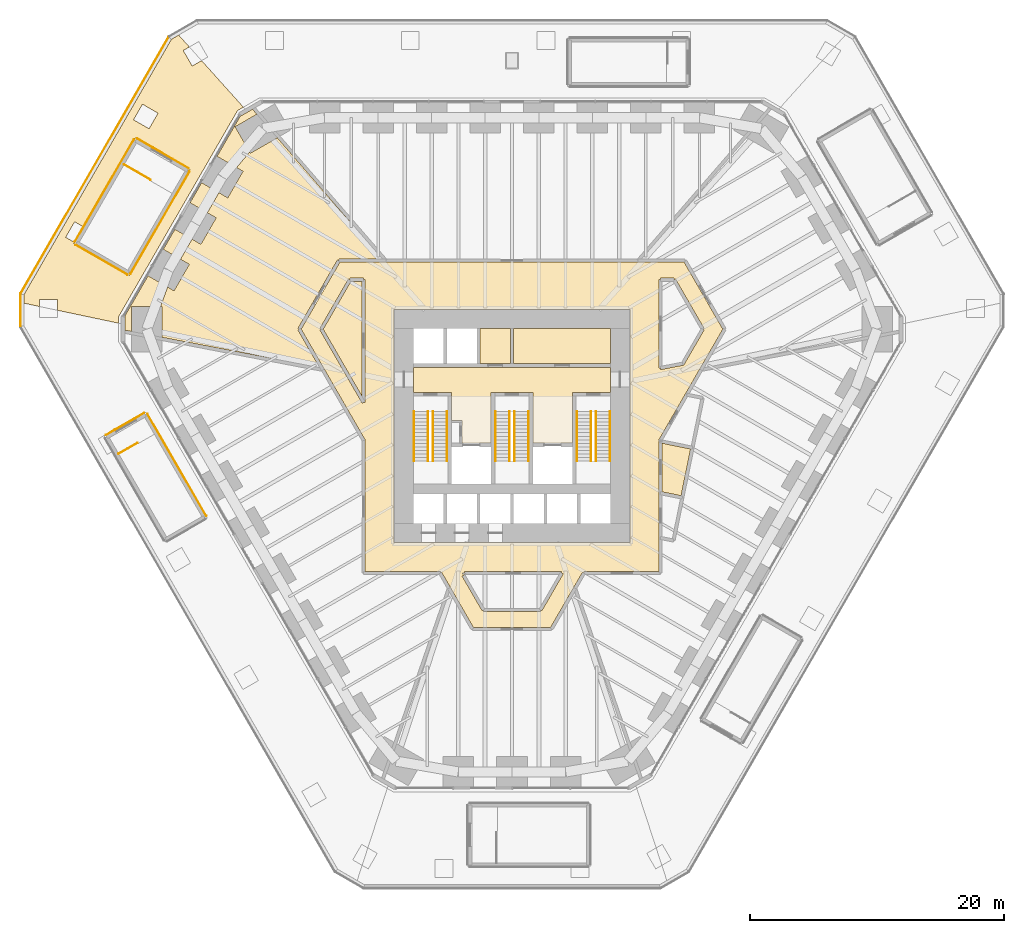
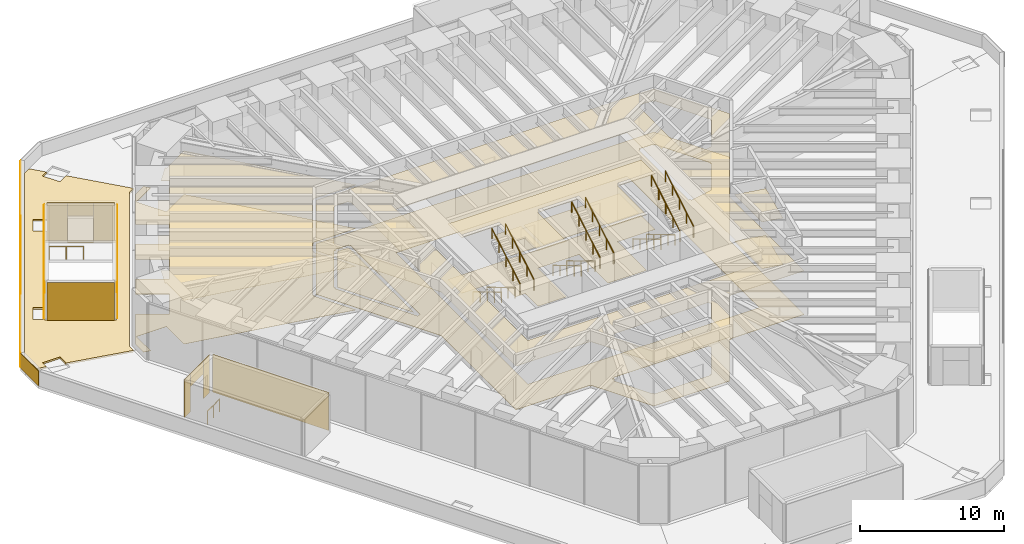
# One storey, part 17 of 20: 24 coverings, 14 railings.
"""IFC4 building model written with IfcOpenShell, lengths in metres."""

from ifc_helpers import new_model, si_unit, direction, frame, frame_2d, origin, origin_2d, place, context, subcontext, project, spatial, polyline, rectangle, circle, outline, extrude, material, layer, layer_set, type_object, element, save


model = new_model("IFC4")

# Units and contexts
model_context = context("Model", 3, precision=1e-05, world=origin(), true_north=direction((0.0, 1.0)))
body_context = subcontext(model_context, "Body", "Model", "MODEL_VIEW")
ifc_project = project(units=[si_unit("LENGTHUNIT", "METRE"), si_unit("AREAUNIT", "SQUARE_METRE"), si_unit("VOLUMEUNIT", "CUBIC_METRE"), si_unit("PLANEANGLEUNIT", "RADIAN"), si_unit("MASSUNIT", "GRAM", prefix="KILO")], contexts=[model_context])

# Site, building, storey
site_placement = place(None, origin())
site = spatial("IfcSite", under=ifc_project, at=site_placement, CompositionType="ELEMENT")
building_placement = place(site_placement, origin())
building = spatial("IfcBuilding", under=site, at=building_placement, Name="Sandreach Pilgrim Tower", CompositionType="ELEMENT")
storey_placement = place(building_placement, frame((0.0, 0.0, 18.0)))
storey = spatial("IfcBuildingStorey", under=building, at=storey_placement, Name="L03", CompositionType="ELEMENT", Elevation=18.0)

# Coverings
ifc_material_1 = material(Name="Acoustic mineral fibre tile ceiling on a suspension grid", Category="mineral")
ifc_layer_1 = layer(ifc_material_1, 0.02001953125)
ifc_layer_set_1 = layer_set([ifc_layer_1], Name="Acoustic mineral tile ceiling")
covering_type_1 = type_object("IfcCoveringType", Name="Acoustic mineral tile ceiling", PredefinedType="CEILING", material=ifc_layer_set_1)
covering_1_placement = place(storey_placement, frame((0.0, 0.0, 3.699951171875)))
element("IfcCovering", 1, at=covering_1_placement, inside=storey, type_object=covering_type_1, Name="Ceiling 03C Dining foyer", PredefinedType="CEILING", context=body_context, shape_type="SweptSolid", body=[
    extrude(outline(polyline([(-11.544921875, -2.646484375), (-16.57568359375, 6.06005859375), (-13.537841796875, 11.324951171875), (13.537841796875, 11.324951171875), (16.57568359375, 6.06005859375), (11.544921875, -2.646484375), (11.544921875, -12.9951171875), (5.64990234375, -12.9951171875), (5.64990234375, -13.119873046875), (5.5419921875, -13.057373046875), (3.037841796875, -17.385009765625), (-3.037841796875, -17.385009765625), (-5.531494140625, -13.057861328125), (-5.639892578125, -13.119873046875), (-5.639892578125, -12.9951171875), (-11.544921875, -12.9951171875), (-11.544921875, -2.646484375)]), holes=[polyline([(11.544921875, 3.010009765625), (11.669921875, 3.010009765625), (11.69384765625, 2.88720703125), (13.499755859375, 3.238037109375), (15.09814453125, 5.997314453125), (14.989990234375, 6.06005859375), (15.09814453125, 6.12255859375), (12.84814453125, 10.0126953125), (12.739990234375, 9.949951171875), (12.739990234375, 10.074951171875), (11.669921875, 10.074951171875), (11.669921875, 9.949951171875), (11.544921875, 9.949951171875), (11.544921875, 3.010009765625)]), polyline([(-9.27001953125, 7.6201171875), (-9.27001953125, -10.719970703125), (9.27001953125, -10.719970703125), (9.27001953125, 7.6201171875), (-9.27001953125, 7.6201171875)]), polyline([(-3.75, -13.214599609375), (-3.75, -13.2451171875), (-3.715087890625, -13.2451171875), (-3.918212890625, -13.36279296875), (-2.34814453125, -16.07275390625), (-2.239990234375, -16.010009765625), (-2.239990234375, -16.135009765625), (2.239990234375, -16.135009765625), (2.239990234375, -16.010009765625), (2.34814453125, -16.072509765625), (4.018310546875, -13.1826171875), (3.909912109375, -13.1201171875), (3.909912109375, -12.9951171875), (-3.75, -12.9951171875), (-3.75, -13.1201171875), (-3.86865234375, -13.08056640625), (-3.89697265625, -13.165771484375), (-3.75, -13.214599609375)]), polyline([(-15.09814453125, 5.997314453125), (-11.7783203125, 0.25732421875), (-11.544921875, 0.320068359375), (-11.544921875, 9.949951171875), (-11.669921875, 9.949951171875), (-11.669921875, 10.074951171875), (-12.739990234375, 10.074951171875), (-12.739990234375, 9.949951171875), (-12.84814453125, 10.012451171875), (-15.09814453125, 6.12255859375), (-14.989990234375, 6.06005859375), (-15.09814453125, 5.997314453125)])]), origin(), (0.0, 0.0, 1.0), 0.02001953125),
])
ifc_material_2 = material(Name="Nylon carpet tile on the slab", Category="textile")
ifc_layer_2 = layer(ifc_material_2, 0.008056640625)
ifc_layer_set_2 = layer_set([ifc_layer_2], Name="Carpet tile")
covering_type_2 = type_object("IfcCoveringType", Name="Carpet tile", PredefinedType="FLOORING", material=ifc_layer_set_2)
covering_2_placement = place(storey_placement, origin())
element("IfcCovering", 2, at=covering_2_placement, inside=storey, type_object=covering_type_2, Name="Floor finish 03FL Fire service lift lobby", PredefinedType="FLOORING", context=body_context, shape_type="SweptSolid", body=[
    extrude(outline(polyline([(-3.949951171875, -1.125), (-4.75, -1.125), (-4.75, 1.10009765625), (-7.75, 1.10009765625), (-7.75, 3.050048828125), (7.75, 3.050048828125), (7.75, 1.10009765625), (4.75, 1.10009765625), (4.75, -2.89990234375), (1.64990234375, -2.89990234375), (1.64990234375, 1.10009765625), (-1.64990234375, 1.10009765625), (-1.64990234375, -2.89990234375), (-3.949951171875, -2.89990234375), (-3.949951171875, -1.125)])), origin(), (0.0, 0.0, 1.0), 0.008056640625),
])
ifc_material_3 = material(Name="Epoxy resin floor on the slab", Category="plastic")
ifc_layer_3 = layer(ifc_material_3, 0.00390625)
ifc_layer_set_3 = layer_set([ifc_layer_3], Name="Epoxy resin floor")
covering_type_3 = type_object("IfcCoveringType", Name="Epoxy resin floor", PredefinedType="FLOORING", material=ifc_layer_set_3)
covering_3_placement = place(storey_placement, origin())
element("IfcCovering", 3, at=covering_3_placement, inside=storey, type_object=covering_type_3, Name="Floor finish 03B2 Cold store", PredefinedType="FLOORING", context=body_context, shape_type="SweptSolid", body=[
    extrude(outline(polyline([(-12.66796875, 9.824951171875), (-11.794921875, 9.824951171875), (-11.794921875, 0.785888671875), (-14.845703125, 6.06005859375), (-12.66796875, 9.824951171875)])), origin(), (0.0, 0.0, 1.0), 0.00390625),
])
covering_4_placement = place(storey_placement, origin())
element("IfcCovering", 4, at=covering_4_placement, inside=storey, type_object=covering_type_3, Name="Floor finish 03K1 Cleaners store", PredefinedType="FLOORING", context=body_context, shape_type="SweptSolid", body=[
    extrude(outline(polyline([(-2.5, 6.10009765625), (-0.125, 6.10009765625), (-0.125, 3.35009765625), (-2.5, 3.35009765625), (-2.5, 6.10009765625)])), origin(), (0.0, 0.0, 1.0), 0.00390625),
])
covering_5_placement = place(storey_placement, origin())
element("IfcCovering", 5, at=covering_5_placement, inside=storey, type_object=covering_type_3, Name="Floor finish 03K2 Back of house store", PredefinedType="FLOORING", context=body_context, shape_type="SweptSolid", body=[
    extrude(outline(polyline([(0.125, 6.10009765625), (7.75, 6.10009765625), (7.75, 3.35009765625), (0.125, 3.35009765625), (0.125, 6.10009765625)])), origin(), (0.0, 0.0, 1.0), 0.00390625),
])
ifc_material_4 = material(Name="Gypsum board suspended ceiling on a steel grid", Category="steel")
ifc_layer_4 = layer(ifc_material_4, 0.012939453125)
ifc_layer_set_4 = layer_set([ifc_layer_4], Name="Gypsum board suspended ceiling")
covering_type_4 = type_object("IfcCoveringType", Name="Gypsum board suspended ceiling", PredefinedType="CEILING", material=ifc_layer_set_4)
covering_6_placement = place(storey_placement, frame((0.0, 0.0, 4.699951171875)))
element("IfcCovering", 6, at=covering_6_placement, inside=storey, type_object=covering_type_4, Name="Ceiling 03FL Fire service lift lobby", PredefinedType="CEILING", context=body_context, shape_type="SweptSolid", body=[
    extrude(outline(polyline([(-3.949951171875, -1.125), (-4.75, -1.125), (-4.75, 1.10009765625), (-7.75, 1.10009765625), (-7.75, 3.050048828125), (7.75, 3.050048828125), (7.75, 1.10009765625), (4.75, 1.10009765625), (4.75, -2.89990234375), (1.64990234375, -2.89990234375), (1.64990234375, 1.10009765625), (-1.64990234375, 1.10009765625), (-1.64990234375, -2.89990234375), (-3.949951171875, -2.89990234375), (-3.949951171875, -1.125)])), origin(), (0.0, 0.0, 1.0), 0.012939453125),
])
ifc_material_5 = material(Name="Moisture-resistant gypsum board suspended ceiling on a steel grid", Category="steel")
ifc_layer_5 = layer(ifc_material_5, 0.01611328125)
ifc_layer_set_5 = layer_set([ifc_layer_5], Name="Moisture-resistant gypsum board ceiling")
covering_type_5 = type_object("IfcCoveringType", Name="Moisture-resistant gypsum board ceiling", PredefinedType="CEILING", material=ifc_layer_set_5)
covering_7_placement = place(storey_placement, frame((0.0, 0.0, 3.699951171875)))
element("IfcCovering", 7, at=covering_7_placement, inside=storey, type_object=covering_type_5, Name="Ceiling 0306 Servery west", PredefinedType="CEILING", context=body_context, shape_type="SweptSolid", body=[
    extrude(outline(polyline([(-27.076904296875, 9.37158203125), (-26.571044921875, 9.07958984375), (-25.370849609375, 11.157958984375), (-26.063720703125, 11.55810546875), (-25.152587890625, 13.13623046875), (-24.459716796875, 12.736328125), (-23.259765625, 14.814697265625), (-23.95263671875, 15.214599609375), (-23.04150390625, 16.79296875), (-22.3486328125, 16.392822265625), (-21.148681640625, 18.47119140625), (-21.654541015625, 18.763427734375), (-20.623291015625, 19.99609375), (-20.565185546875, 19.8955078125), (-18.455322265625, 21.113525390625), (-10.183837890625, 11.574951171875), (-13.610107421875, 11.574951171875), (-13.610107421875, 11.449951171875), (-13.71826171875, 11.512451171875), (-16.828369140625, 6.12255859375), (-16.719970703125, 6.06005859375), (-16.828125, 5.99755859375), (-15.115234375, 3.034423828125), (-27.5126953125, 5.41943359375), (-27.5126953125, 7.862060546875), (-27.628662109375, 7.862060546875), (-27.076904296875, 9.37158203125)])), origin(), (0.0, 0.0, 1.0), 0.01611328125),
])
covering_8_placement = place(storey_placement, frame((0.0, 0.0, 3.949951171875)))
element("IfcCovering", 8, at=covering_8_placement, inside=storey, type_object=covering_type_5, Name="Ceiling 03T2 Accessible WC 03", PredefinedType="CEILING", context=body_context, shape_type="SweptSolid", body=[
    extrude(outline(polyline([(11.794921875, -2.90283203125), (14.04248046875, -3.357666015625), (13.29248046875, -7.03271484375), (11.794921875, -6.727783203125), (11.794921875, -2.90283203125)])), origin(), (0.0, 0.0, 1.0), 0.01611328125),
])
ifc_material_6 = material(Name="Porcelain tile on an adhesive bed", Category="ceramic")
ifc_layer_6 = layer(ifc_material_6, 0.011962890625)
ifc_layer_set_6 = layer_set([ifc_layer_6], Name="Porcelain tile")
covering_type_6 = type_object("IfcCoveringType", Name="Porcelain tile", PredefinedType="FLOORING", material=ifc_layer_set_6)
covering_9_placement = place(storey_placement, origin())
element("IfcCovering", 9, at=covering_9_placement, inside=storey, type_object=covering_type_6, Name="Floor finish 0306 Servery west", PredefinedType="FLOORING", context=body_context, shape_type="SweptSolid", body=[
    extrude(outline(polyline([(-28.61474609375, 10.259521484375), (-26.571044921875, 9.07958984375), (-25.370849609375, 11.157958984375), (-27.414794921875, 12.338134765625), (-26.503662109375, 13.916259765625), (-24.459716796875, 12.736328125), (-23.259765625, 14.814697265625), (-25.312255859375, 15.999755859375), (-24.401123046875, 17.577880859375), (-22.3486328125, 16.392822265625), (-21.148681640625, 18.47119140625), (-23.1923828125, 19.6513671875), (-21.380859375, 22.788818359375), (-20.3994140625, 23.35546875), (-20.056884765625, 22.96044921875), (-21.76513671875, 21.97412109375), (-20.565185546875, 19.8955078125), (-18.455322265625, 21.113525390625), (-10.183837890625, 11.574951171875), (-13.610107421875, 11.574951171875), (-13.610107421875, 11.449951171875), (-13.71826171875, 11.512451171875), (-16.828369140625, 6.12255859375), (-16.719970703125, 6.06005859375), (-16.828125, 5.99755859375), (-15.115234375, 3.034423828125), (-27.5126953125, 5.41943359375), (-27.5126953125, 7.862060546875), (-29.91259765625, 7.862060546875), (-29.91259765625, 5.881103515625), (-30.42626953125, 5.97998046875), (-30.42626953125, 7.1220703125), (-28.61474609375, 10.259521484375)])), origin(), (0.0, 0.0, 1.0), 0.011962890625),
])
covering_10_placement = place(storey_placement, origin())
element("IfcCovering", 10, at=covering_10_placement, inside=storey, type_object=covering_type_6, Name="Floor finish 03T2 Accessible WC 03", PredefinedType="FLOORING", context=body_context, shape_type="SweptSolid", body=[
    extrude(outline(polyline([(14.04248046875, -3.357666015625), (13.29248046875, -7.03271484375), (11.794921875, -6.727783203125), (11.794921875, -2.90283203125), (14.04248046875, -3.357666015625)])), origin(), (0.0, 0.0, 1.0), 0.011962890625),
])

# Railings
ifc_material_7 = material(Name="Stainless steel tube", Category="steel")
railing_type_1 = type_object("IfcRailingType", Name="Stair handrail", PredefinedType="HANDRAIL", material=ifc_material_7)
for number, where, name in (
    (11, (-6.60009765625, -0.39990234375, 0.166748046875), "Handrail ST1 L03 flight 1"),
    (12, (-7.699951171875, -0.39990234375, 0.166748046875), "Handrail ST1 L03 flight 1"),
):
    element("IfcRailing", number, at=place(storey_placement, frame(where)), inside=storey, type_object=railing_type_1, Name=name, PredefinedType="HANDRAIL", context=body_context, shape_type="SweptSolid", body=[
        extrude(circle(Radius=0.02392578125, at=origin_2d()), frame((0.0, 0.0, 0.8759765625), z_axis=(0.0, -0.859310244771, 0.511454693235), x_axis=(1.0, 0.0, 0.0)), (0.0, 0.0, 1.0), 4.56201171875),
        extrude(circle(Radius=0.02099609375, at=origin_2d()), origin(), (0.0, 0.0, 1.0), 0.851806640625),
        extrude(circle(Radius=0.02099609375, at=origin_2d()), frame((0.0, -0.97998046875, 0.583251953125)), (0.0, 0.0, 1.0), 0.851806640625),
        extrude(circle(Radius=0.02099609375, at=origin_2d()), frame((0.0, -1.9599609375, 1.16650390625)), (0.0, 0.0, 1.0), 0.851806640625),
        extrude(circle(Radius=0.02099609375, at=origin_2d()), frame((0.0, -2.940185546875, 1.75)), (0.0, 0.0, 1.0), 0.851806640625),
        extrude(circle(Radius=0.02099609375, at=origin_2d()), frame((0.0, -3.920166015625, 2.333251953125)), (0.0, 0.0, 1.0), 0.851806640625),
    ])
for number, where, name in (
    (13, (-6.199951171875, -4.320068359375, 2.666748046875), "Handrail ST1 L03 flight 2"),
    (14, (-5.10009765625, -4.320068359375, 2.666748046875), "Handrail ST1 L03 flight 2"),
):
    element("IfcRailing", number, at=place(storey_placement, frame(where)), inside=storey, type_object=railing_type_1, Name=name, PredefinedType="HANDRAIL", context=body_context, shape_type="SweptSolid", body=[
        extrude(circle(Radius=0.02392578125, at=origin_2d()), frame((0.0, 0.0, 0.8759765625), z_axis=(0.0, 0.859310244771, 0.511454693235), x_axis=(-1.0, 0.0, 0.0)), (0.0, 0.0, 1.0), 4.56201171875),
        extrude(circle(Radius=0.02099609375, at=origin_2d()), origin(), (0.0, 0.0, 1.0), 0.851806640625),
        extrude(circle(Radius=0.02099609375, at=origin_2d()), frame((0.0, 0.97998046875, 0.583251953125)), (0.0, 0.0, 1.0), 0.851806640625),
        extrude(circle(Radius=0.02099609375, at=origin_2d()), frame((0.0, 1.9599609375, 1.16650390625)), (0.0, 0.0, 1.0), 0.851806640625),
        extrude(circle(Radius=0.02099609375, at=origin_2d()), frame((0.0, 2.940185546875, 1.75)), (0.0, 0.0, 1.0), 0.851806640625),
        extrude(circle(Radius=0.02099609375, at=origin_2d()), frame((0.0, 3.920166015625, 2.333251953125)), (0.0, 0.0, 1.0), 0.851806640625),
    ])
for number, where, name in (
    (15, (-0.199951171875, -0.39990234375, 0.166748046875), "Handrail ST3 L03 flight 1"),
    (16, (-1.300048828125, -0.39990234375, 0.166748046875), "Handrail ST3 L03 flight 1"),
):
    element("IfcRailing", number, at=place(storey_placement, frame(where)), inside=storey, type_object=railing_type_1, Name=name, PredefinedType="HANDRAIL", context=body_context, shape_type="SweptSolid", body=[
        extrude(circle(Radius=0.02392578125, at=origin_2d()), frame((0.0, 0.0, 0.8759765625), z_axis=(0.0, -0.859310244771, 0.511454693235), x_axis=(1.0, 0.0, 0.0)), (0.0, 0.0, 1.0), 4.56201171875),
        extrude(circle(Radius=0.02099609375, at=origin_2d()), origin(), (0.0, 0.0, 1.0), 0.851806640625),
        extrude(circle(Radius=0.02099609375, at=origin_2d()), frame((0.0, -0.97998046875, 0.583251953125)), (0.0, 0.0, 1.0), 0.851806640625),
        extrude(circle(Radius=0.02099609375, at=origin_2d()), frame((0.0, -1.9599609375, 1.16650390625)), (0.0, 0.0, 1.0), 0.851806640625),
        extrude(circle(Radius=0.02099609375, at=origin_2d()), frame((0.0, -2.940185546875, 1.75)), (0.0, 0.0, 1.0), 0.851806640625),
        extrude(circle(Radius=0.02099609375, at=origin_2d()), frame((0.0, -3.920166015625, 2.333251953125)), (0.0, 0.0, 1.0), 0.851806640625),
    ])
for number, where, name in (
    (17, (0.199951171875, -4.320068359375, 2.666748046875), "Handrail ST3 L03 flight 2"),
    (18, (1.300048828125, -4.320068359375, 2.666748046875), "Handrail ST3 L03 flight 2"),
):
    element("IfcRailing", number, at=place(storey_placement, frame(where)), inside=storey, type_object=railing_type_1, Name=name, PredefinedType="HANDRAIL", context=body_context, shape_type="SweptSolid", body=[
        extrude(circle(Radius=0.02392578125, at=origin_2d()), frame((0.0, 0.0, 0.8759765625), z_axis=(0.0, 0.859310244771, 0.511454693235), x_axis=(-1.0, 0.0, 0.0)), (0.0, 0.0, 1.0), 4.56201171875),
        extrude(circle(Radius=0.02099609375, at=origin_2d()), origin(), (0.0, 0.0, 1.0), 0.851806640625),
        extrude(circle(Radius=0.02099609375, at=origin_2d()), frame((0.0, 0.97998046875, 0.583251953125)), (0.0, 0.0, 1.0), 0.851806640625),
        extrude(circle(Radius=0.02099609375, at=origin_2d()), frame((0.0, 1.9599609375, 1.16650390625)), (0.0, 0.0, 1.0), 0.851806640625),
        extrude(circle(Radius=0.02099609375, at=origin_2d()), frame((0.0, 2.940185546875, 1.75)), (0.0, 0.0, 1.0), 0.851806640625),
        extrude(circle(Radius=0.02099609375, at=origin_2d()), frame((0.0, 3.920166015625, 2.333251953125)), (0.0, 0.0, 1.0), 0.851806640625),
    ])
for number, where, name in (
    (19, (6.199951171875, -0.39990234375, 0.166748046875), "Handrail ST2 L03 flight 1"),
    (20, (5.10009765625, -0.39990234375, 0.166748046875), "Handrail ST2 L03 flight 1"),
):
    element("IfcRailing", number, at=place(storey_placement, frame(where)), inside=storey, type_object=railing_type_1, Name=name, PredefinedType="HANDRAIL", context=body_context, shape_type="SweptSolid", body=[
        extrude(circle(Radius=0.02392578125, at=origin_2d()), frame((0.0, 0.0, 0.8759765625), z_axis=(0.0, -0.859310244771, 0.511454693235), x_axis=(1.0, 0.0, 0.0)), (0.0, 0.0, 1.0), 4.56201171875),
        extrude(circle(Radius=0.02099609375, at=origin_2d()), origin(), (0.0, 0.0, 1.0), 0.851806640625),
        extrude(circle(Radius=0.02099609375, at=origin_2d()), frame((0.0, -0.97998046875, 0.583251953125)), (0.0, 0.0, 1.0), 0.851806640625),
        extrude(circle(Radius=0.02099609375, at=origin_2d()), frame((0.0, -1.9599609375, 1.16650390625)), (0.0, 0.0, 1.0), 0.851806640625),
        extrude(circle(Radius=0.02099609375, at=origin_2d()), frame((0.0, -2.940185546875, 1.75)), (0.0, 0.0, 1.0), 0.851806640625),
        extrude(circle(Radius=0.02099609375, at=origin_2d()), frame((0.0, -3.920166015625, 2.333251953125)), (0.0, 0.0, 1.0), 0.851806640625),
    ])
for number, where, name in (
    (21, (6.60009765625, -4.320068359375, 2.666748046875), "Handrail ST2 L03 flight 2"),
    (22, (7.699951171875, -4.320068359375, 2.666748046875), "Handrail ST2 L03 flight 2"),
):
    element("IfcRailing", number, at=place(storey_placement, frame(where)), inside=storey, type_object=railing_type_1, Name=name, PredefinedType="HANDRAIL", context=body_context, shape_type="SweptSolid", body=[
        extrude(circle(Radius=0.02392578125, at=origin_2d()), frame((0.0, 0.0, 0.8759765625), z_axis=(0.0, 0.859310244771, 0.511454693235), x_axis=(-1.0, 0.0, 0.0)), (0.0, 0.0, 1.0), 4.56201171875),
        extrude(circle(Radius=0.02099609375, at=origin_2d()), origin(), (0.0, 0.0, 1.0), 0.851806640625),
        extrude(circle(Radius=0.02099609375, at=origin_2d()), frame((0.0, 0.97998046875, 0.583251953125)), (0.0, 0.0, 1.0), 0.851806640625),
        extrude(circle(Radius=0.02099609375, at=origin_2d()), frame((0.0, 1.9599609375, 1.16650390625)), (0.0, 0.0, 1.0), 0.851806640625),
        extrude(circle(Radius=0.02099609375, at=origin_2d()), frame((0.0, 2.940185546875, 1.75)), (0.0, 0.0, 1.0), 0.851806640625),
        extrude(circle(Radius=0.02099609375, at=origin_2d()), frame((0.0, 3.920166015625, 2.333251953125)), (0.0, 0.0, 1.0), 0.851806640625),
    ])
ifc_material_8 = material(Name="Stainless steel tube", Category="steel")
railing_type_2 = type_object("IfcRailingType", Name="Stair well guard", PredefinedType="GUARDRAIL", material=ifc_material_8)
railing_1_placement = place(storey_placement, frame((-28.415771484375, 17.804443359375, 0.0)))
element("IfcRailing", 23, at=railing_1_placement, inside=storey, type_object=railing_type_2, Name="Stair well guard ST6 L03", PredefinedType="GUARDRAIL", context=body_context, shape_type="SweptSolid", body=[
    extrude(circle(Radius=0.02392578125, at=origin_2d()), frame((0.0, 0.0, 1.076171875), z_axis=(-0.866024647952, 0.500001309137, 0.0), x_axis=(-0.500001309137, -0.866024647952, 0.0)), (0.0, 0.0, 1.0), 2.39990234375),
    extrude(circle(Radius=0.02099609375, at=origin_2d()), origin(), (0.0, 0.0, 1.0), 1.052001953125),
    extrude(circle(Radius=0.02099609375, at=origin_2d()), frame((-1.0390625, 0.60009765625, 0.0)), (0.0, 0.0, 1.0), 1.052001953125),
    extrude(circle(Radius=0.02099609375, at=origin_2d()), frame((-2.078369140625, 1.199951171875, 0.0)), (0.0, 0.0, 1.0), 1.052001953125),
])
railing_2_placement = place(storey_placement, frame((-29.453125, -2.883056640625, 0.0)))
element("IfcRailing", 24, at=railing_2_placement, inside=storey, type_object=railing_type_2, Name="Stair well guard ST9 L03", PredefinedType="GUARDRAIL", context=body_context, shape_type="SweptSolid", body=[
    extrude(circle(Radius=0.02392578125, at=origin_2d()), frame((0.0, 0.0, 1.076171875), z_axis=(-0.865989465428, -0.500062241894, 0.0), x_axis=(0.500062241894, -0.865989465428, 0.0)), (0.0, 0.0, 1.0), 1.699951171875),
    extrude(circle(Radius=0.02099609375, at=origin_2d()), origin(), (0.0, 0.0, 1.0), 1.052001953125),
    extrude(circle(Radius=0.02099609375, at=origin_2d()), frame((-0.736083984375, -0.425048828125, 0.0)), (0.0, 0.0, 1.0), 1.052001953125),
    extrude(circle(Radius=0.02099609375, at=origin_2d()), frame((-1.47216796875, -0.85009765625, 0.0)), (0.0, 0.0, 1.0), 1.052001953125),
])

# Coverings
ifc_material_9 = material(Name="Concrete pavers on pedestals, insulation and waterproofing membrane", Category="concrete")
ifc_layer_7 = layer(ifc_material_9, 0.14990234375)
ifc_layer_set_7 = layer_set([ifc_layer_7], Name="Terrace roofing - pavers on pedestals over insulation and membrane")
covering_type_7 = type_object("IfcCoveringType", Name="Terrace roofing - pavers on pedestals over insulation and membrane", PredefinedType="ROOFING", material=ifc_layer_set_7)
covering_11_placement = place(storey_placement, frame((0.0, 0.0, -0.14990234375)))
element("IfcCovering", 25, at=covering_11_placement, inside=storey, type_object=covering_type_7, Name="Terrace roofing L03 RING-NW", PredefinedType="ROOFING", context=body_context, shape_type="SweptSolid", body=[
    extrude(outline(polyline([(-25.36669921875, 28.249755859375), (-25.84814453125, 27.9716796875), (-25.143310546875, 26.75048828125), (-24.40380859375, 27.177490234375), (-21.115478515625, 23.515380859375), (-21.577392578125, 23.248779296875), (-30.922607421875, 7.062255859375), (-30.922607421875, 6.52880859375), (-35.73828125, 7.545654296875), (-35.73828125, 8.3994140625), (-37.148193359375, 8.3994140625), (-37.148193359375, 7.84326171875), (-38.376708984375, 8.1025390625), (-38.377197265625, 8.759521484375), (-26.7744140625, 28.855712890625), (-26.205322265625, 29.183837890625), (-25.36669921875, 28.249755859375)]), holes=[polyline([(-33.678955078125, 14.09814453125), (-34.38720703125, 14.507080078125), (-35.092041015625, 13.285888671875), (-34.384033203125, 12.876953125), (-34.435791015625, 12.787109375), (-30.096923828125, 10.2822265625), (-25.2919921875, 18.604736328125), (-29.630859375, 21.109619140625), (-33.678955078125, 14.09814453125)]), polyline([(-27.830810546875, 23.042724609375), (-29.052001953125, 23.747802734375), (-29.757080078125, 22.526611328125), (-28.535888671875, 21.82177734375), (-27.830810546875, 23.042724609375)])]), origin(), (0.0, 0.0, 1.0), 0.14990234375),
])
ifc_material_10 = material(Name="Terracotta rainscreen panels on aluminium rails", Category="masonry")
ifc_layer_8 = layer(ifc_material_10, 0.050048828125)
ifc_layer_set_8 = layer_set([ifc_layer_8], Name="Terracotta rainscreen cladding 50")
covering_type_8 = type_object("IfcCoveringType", Name="Terracotta rainscreen cladding 50", PredefinedType="CLADDING", material=ifc_layer_set_8)
covering_12_placement = place(storey_placement, frame((-26.99951171875, 29.02587890625, -0.14990234375), z_axis=(0.0, 0.0, 1.0), x_axis=(-0.50000302432, -0.866023657685, 0.0)))
element("IfcCovering", 26, at=covering_12_placement, inside=storey, type_object=covering_type_8, Name="Rainscreen cladding on setback parapet l03 2", PredefinedType="CLADDING", context=body_context, shape_type="SweptSolid", body=[
    extrude(rectangle(XDim=23.274658203125, YDim=0.050048828125, at=frame_2d((11.63720703125, 0.0))), origin(), (0.0, 0.0, 1.0), 1.25),
])
covering_13_placement = place(storey_placement, frame((-38.656982421875, 8.794189453125, -0.14990234375), z_axis=(0.0, 0.0, 1.0), x_axis=(0.000686139811, -0.999999764606, 0.0)))
element("IfcCovering", 27, at=covering_13_placement, inside=storey, type_object=covering_type_8, Name="Rainscreen cladding on setback parapet l03 3", PredefinedType="CLADDING", context=body_context, shape_type="SweptSolid", body=[
    extrude(rectangle(XDim=2.49072265625, YDim=0.050048828125, at=frame_2d((1.245361328125, 0.0))), origin(), (0.0, 0.0, 1.0), 1.25),
])
covering_14_placement = place(storey_placement, frame((-25.352294921875, 18.46044921875, 0.0), z_axis=(0.0, 0.0, 1.0), x_axis=(-0.499995904083, -0.86602776855, 0.0)))
element("IfcCovering", 28, at=covering_14_placement, inside=storey, type_object=covering_type_8, Name="Rainscreen cladding on stair ST6 head-house wall", PredefinedType="CLADDING", context=body_context, shape_type="SweptSolid", body=[
    extrude(rectangle(XDim=9.2998046875, YDim=0.050048828125, at=frame_2d((4.64990234375, 0.0))), origin(), (0.0, 0.0, 1.0), 3.199951171875),
])
covering_15_placement = place(storey_placement, frame((-30.2412109375, 10.34228515625, 0.0), z_axis=(0.0, 0.0, 1.0), x_axis=(-0.866016039709, 0.500016218704, 0.0)))
element("IfcCovering", 29, at=covering_15_placement, inside=storey, type_object=covering_type_8, Name="Rainscreen cladding on stair ST6 head-house wall", PredefinedType="CLADDING", context=body_context, shape_type="SweptSolid", body=[
    extrude(rectangle(XDim=4.699951171875, YDim=0.050048828125, at=frame_2d((2.35009765625, 0.0))), origin(), (0.0, 0.0, 1.0), 3.199951171875),
])
covering_16_placement = place(storey_placement, frame((-34.375732421875, 12.931396484375, 0.0), z_axis=(0.0, 0.0, 1.0), x_axis=(0.500004225487, 0.866022964185, 0.0)))
element("IfcCovering", 30, at=covering_16_placement, inside=storey, type_object=covering_type_8, Name="Rainscreen cladding on stair ST6 head-house wall", PredefinedType="CLADDING", context=body_context, shape_type="SweptSolid", body=[
    extrude(rectangle(XDim=9.30029296875, YDim=0.050048828125, at=frame_2d((4.650146484375, 0.0))), origin(), (0.0, 0.0, 1.0), 3.199951171875),
])
covering_17_placement = place(storey_placement, frame((-29.486572265625, 21.049560546875, 0.0), z_axis=(0.0, 0.0, 1.0), x_axis=(0.866017369001, -0.500013916395, 0.0)))
element("IfcCovering", 31, at=covering_17_placement, inside=storey, type_object=covering_type_8, Name="Rainscreen cladding on stair ST6 head-house door wall, left of the door", PredefinedType="CLADDING", context=body_context, shape_type="SweptSolid", body=[
    extrude(rectangle(XDim=1.4501953125, YDim=0.050048828125, at=frame_2d((0.72509765625, 0.0))), origin(), (0.0, 0.0, 1.0), 3.199951171875),
])
covering_18_placement = place(storey_placement, frame((-26.671875, 19.424560546875, 0.0), z_axis=(0.0, 0.0, 1.0), x_axis=(0.865975268738, -0.500086826395, 0.0)))
element("IfcCovering", 32, at=covering_18_placement, inside=storey, type_object=covering_type_8, Name="Rainscreen cladding on stair ST6 head-house door wall, right of the door", PredefinedType="CLADDING", context=body_context, shape_type="SweptSolid", body=[
    extrude(rectangle(XDim=1.449951171875, YDim=0.050048828125, at=frame_2d((0.72509765625, 0.0))), origin(), (0.0, 0.0, 1.0), 3.199951171875),
])
covering_19_placement = place(storey_placement, frame((-28.230712890625, 20.324462890625, 2.10009765625), z_axis=(0.0, 0.0, 1.0), x_axis=(0.866047807691, -0.499961193289, 0.0)))
element("IfcCovering", 33, at=covering_19_placement, inside=storey, type_object=covering_type_8, Name="Rainscreen cladding on stair ST6 head-house door wall, over the door", PredefinedType="CLADDING", context=body_context, shape_type="SweptSolid", body=[
    extrude(rectangle(XDim=1.800048828125, YDim=0.050048828125, at=frame_2d((0.89990234375, 0.0))), origin(), (0.0, 0.0, 1.0), 1.099853515625),
])
covering_20_placement = place(storey_placement, frame((-28.672607421875, -0.5849609375, 0.0), z_axis=(0.0, 0.0, 1.0), x_axis=(0.499995904083, -0.86602776855, 0.0)))
element("IfcCovering", 34, at=covering_20_placement, inside=storey, type_object=covering_type_8, Name="Rainscreen cladding on stair ST9 head-house wall", PredefinedType="CLADDING", context=body_context, shape_type="SweptSolid", body=[
    extrude(rectangle(XDim=9.2998046875, YDim=0.050048828125, at=frame_2d((4.64990234375, 0.0))), origin(), (0.0, 0.0, 1.0), 3.199951171875),
])
covering_21_placement = place(storey_placement, frame((-31.94287109375, -2.27099609375, 0.0), z_axis=(0.0, 0.0, 1.0), x_axis=(0.865989465428, 0.500062241894, 0.0)))
element("IfcCovering", 35, at=covering_21_placement, inside=storey, type_object=covering_type_8, Name="Rainscreen cladding on stair ST9 head-house door wall, left of the door", PredefinedType="CLADDING", context=body_context, shape_type="SweptSolid", body=[
    extrude(rectangle(XDim=0.85009765625, YDim=0.050048828125, at=frame_2d((0.425048828125, 0.0))), origin(), (0.0, 0.0, 1.0), 3.199951171875),
])
covering_22_placement = place(storey_placement, frame((-29.647705078125, -0.94580078125, 0.0), z_axis=(0.0, 0.0, 1.0), x_axis=(0.866113839764, 0.499846793097, 0.0)))
element("IfcCovering", 36, at=covering_22_placement, inside=storey, type_object=covering_type_8, Name="Rainscreen cladding on stair ST9 head-house door wall, right of the door", PredefinedType="CLADDING", context=body_context, shape_type="SweptSolid", body=[
    extrude(rectangle(XDim=0.849853515625, YDim=0.050048828125, at=frame_2d((0.4248046875, 0.0))), origin(), (0.0, 0.0, 1.0), 3.199951171875),
])
covering_23_placement = place(storey_placement, frame((-31.206787109375, -1.845947265625, 2.10009765625), z_axis=(0.0, 0.0, 1.0), x_axis=(0.866022985545, 0.500004188491, 0.0)))
element("IfcCovering", 37, at=covering_23_placement, inside=storey, type_object=covering_type_8, Name="Rainscreen cladding on stair ST9 head-house door wall, over the door", PredefinedType="CLADDING", context=body_context, shape_type="SweptSolid", body=[
    extrude(rectangle(XDim=1.80029296875, YDim=0.050048828125, at=frame_2d((0.900146484375, 0.0))), origin(), (0.0, 0.0, 1.0), 1.099853515625),
])
ifc_material_11 = material(Name="Cement terrazzo, ground and polished", Category="terrazzo")
ifc_layer_9 = layer(ifc_material_11, 0.02490234375)
ifc_layer_set_9 = layer_set([ifc_layer_9], Name="Terrazzo")
covering_type_9 = type_object("IfcCoveringType", Name="Terrazzo", PredefinedType="FLOORING", material=ifc_layer_set_9)
covering_24_placement = place(storey_placement, origin())
element("IfcCovering", 38, at=covering_24_placement, inside=storey, type_object=covering_type_9, Name="Floor finish 03C Dining foyer", PredefinedType="FLOORING", context=body_context, shape_type="SweptSolid", body=[
    extrude(outline(polyline([(-11.544921875, -2.646484375), (-16.57568359375, 6.06005859375), (-13.537841796875, 11.324951171875), (13.537841796875, 11.324951171875), (16.57568359375, 6.06005859375), (11.544921875, -2.646484375), (11.544921875, -12.9951171875), (5.64990234375, -12.9951171875), (5.64990234375, -13.119873046875), (5.5419921875, -13.057373046875), (3.037841796875, -17.385009765625), (-3.037841796875, -17.385009765625), (-5.531494140625, -13.057861328125), (-5.639892578125, -13.119873046875), (-5.639892578125, -12.9951171875), (-11.544921875, -12.9951171875), (-11.544921875, -2.646484375)]), holes=[polyline([(11.544921875, 3.010009765625), (11.669921875, 3.010009765625), (11.69384765625, 2.88720703125), (13.499755859375, 3.238037109375), (15.09814453125, 5.997314453125), (14.989990234375, 6.06005859375), (15.09814453125, 6.12255859375), (12.84814453125, 10.0126953125), (12.739990234375, 9.949951171875), (12.739990234375, 10.074951171875), (11.669921875, 10.074951171875), (11.669921875, 9.949951171875), (11.544921875, 9.949951171875), (11.544921875, 3.010009765625)]), polyline([(-9.27001953125, 7.6201171875), (-9.27001953125, -10.719970703125), (9.27001953125, -10.719970703125), (9.27001953125, 7.6201171875), (-9.27001953125, 7.6201171875)]), polyline([(-3.75, -13.214599609375), (-3.75, -13.2451171875), (-3.715087890625, -13.2451171875), (-3.918212890625, -13.36279296875), (-2.34814453125, -16.07275390625), (-2.239990234375, -16.010009765625), (-2.239990234375, -16.135009765625), (2.239990234375, -16.135009765625), (2.239990234375, -16.010009765625), (2.34814453125, -16.072509765625), (4.018310546875, -13.1826171875), (3.909912109375, -13.1201171875), (3.909912109375, -12.9951171875), (-3.75, -12.9951171875), (-3.75, -13.1201171875), (-3.86865234375, -13.08056640625), (-3.89697265625, -13.165771484375), (-3.75, -13.214599609375)]), polyline([(-15.09814453125, 5.997314453125), (-11.7783203125, 0.25732421875), (-11.544921875, 0.320068359375), (-11.544921875, 9.949951171875), (-11.669921875, 9.949951171875), (-11.669921875, 10.074951171875), (-12.739990234375, 10.074951171875), (-12.739990234375, 9.949951171875), (-12.84814453125, 10.012451171875), (-15.09814453125, 6.12255859375), (-14.989990234375, 6.06005859375), (-15.09814453125, 5.997314453125)])]), origin(), (0.0, 0.0, 1.0), 0.02490234375),
])

save(model, "model.ifc")
